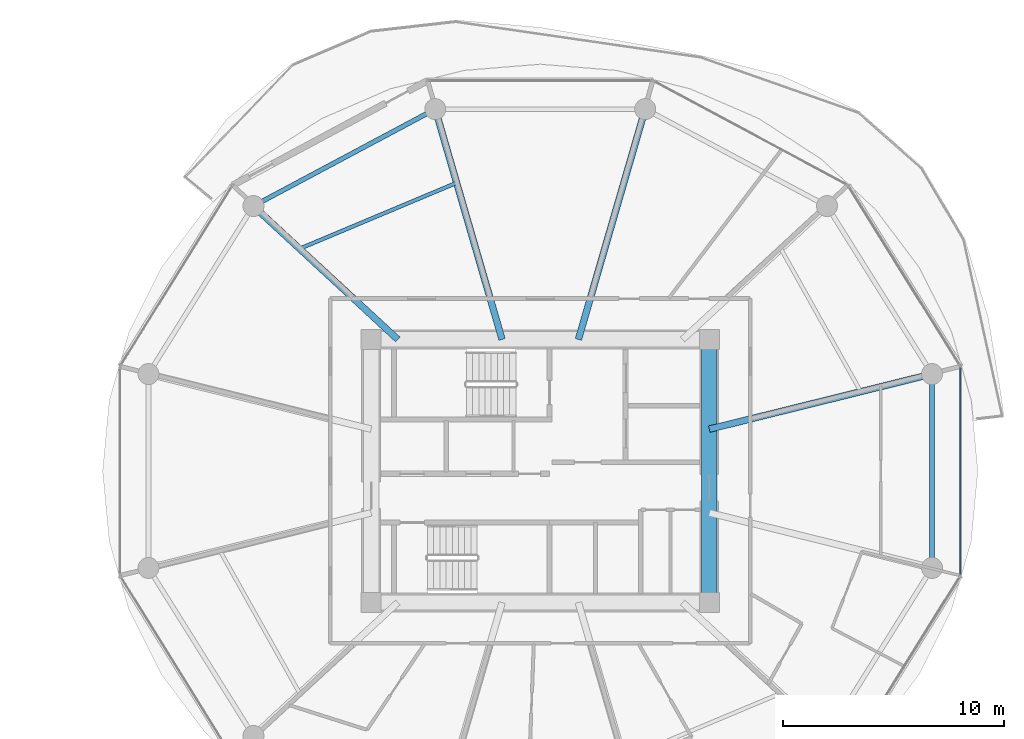
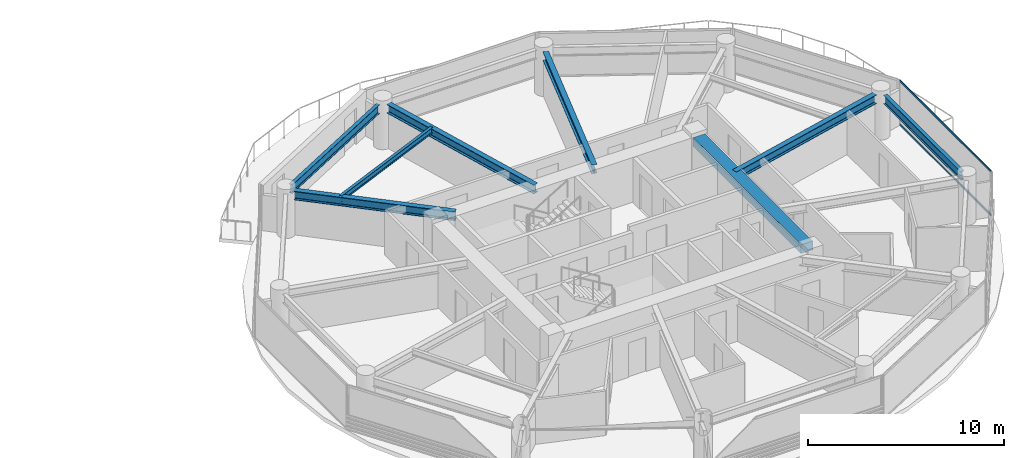
# One storey, part 12 of 26: 8 beams, 2 members, 1 element without a shape of its own.
"""IFC4 building model written with IfcOpenShell, lengths in metres."""

from ifc_helpers import new_model, si_unit, direction, frame, origin, origin_2d, place, context, subcontext, project, spatial, rectangle, i_section, extrude, source, transform, mapped, material, layer, layer_set, material_profile, profile_set, type_object, type_shapes, element, aggregate, save


model = new_model("IFC4")

# Units and contexts
model_context = context("Model", 3, precision=1e-05, world=origin(), true_north=direction((0.0, 1.0)))
body_context = subcontext(model_context, "Body", "Model", "MODEL_VIEW")
ifc_project = project(units=[si_unit("LENGTHUNIT", "METRE"), si_unit("AREAUNIT", "SQUARE_METRE"), si_unit("VOLUMEUNIT", "CUBIC_METRE"), si_unit("PLANEANGLEUNIT", "RADIAN"), si_unit("MASSUNIT", "GRAM", prefix="KILO")], contexts=[model_context])

# Site, building, storey
site_placement = place(None, origin())
site = spatial("IfcSite", under=ifc_project, at=site_placement, CompositionType="ELEMENT")
building_placement = place(site_placement, origin())
building = spatial("IfcBuilding", under=site, at=building_placement, Name="Norrkilde Senior Care Towers", CompositionType="ELEMENT")
storey_placement = place(building_placement, frame((0.0, 0.0, 49.050048828125)))
storey = spatial("IfcBuildingStorey", under=building, at=storey_placement, Name="L14", CompositionType="ELEMENT", Elevation=49.050048828125)

# Beams
ifc_material_1 = material(Name="Concrete C60/75", Category="concrete")
ifc_material_profile_1 = material_profile(ifc_material_1, rectangle(XDim=0.699951171875, YDim=0.550048828125, at=origin_2d()), Name="RC BM 700x550")
ifc_profile_set_1 = profile_set([ifc_material_profile_1], Name="Concrete C60/75")
beam_type_1 = type_object("IfcBeamType", Name="Core Portal Coupling Beam 700x550", PredefinedType="USERDEFINED", material=ifc_profile_set_1)
shared_shape_1 = source(origin(), body_context, "Body", "SweptSolid", [
    extrude(rectangle(XDim=0.699951171875, YDim=0.550048828125, at=origin_2d()), origin(), (0.0, 0.0, 1.0), 11.0400390625),
])
type_shapes(beam_type_1, [shared_shape_1])
beam_1_placement = place(storey_placement, frame((35.64990234375, -5.52001953125, 2.514892578125), z_axis=(0.0, 1.0, 0.0), x_axis=(-1.0, 0.0, 0.0)))
element("IfcBeam", 1, at=beam_1_placement, inside=storey, type_object=beam_type_1, Name="L14 Core E E Coupling Girder", ObjectType="GIRDER", PredefinedType="USERDEFINED", context=body_context, shape_type="MappedRepresentation", body=[
    mapped(shared_shape_1, transform((0.0, 0.0, 0.0), x_axis=(1.0, 0.0, 0.0), y_axis=(0.0, 1.0, 0.0), z_axis=(0.0, 0.0, 1.0), scale=1.0)),
])
ifc_material_2 = material(Name="Steel S355", Category="steel")
ifc_material_profile_2 = material_profile(ifc_material_2, i_section(OverallWidth=0.300048828125, OverallDepth=0.550048828125, WebThickness=0.014892578125, FlangeThickness=0.029052734375, FilletRadius=0.027099609375, at=origin_2d()), Name="HEB 550")
ifc_profile_set_2 = profile_set([ifc_material_profile_2], Name="Steel S355")
beam_type_2 = type_object("IfcBeamType", Name="Radial Floor Beam Z1 HEB550", PredefinedType="BEAM", material=ifc_profile_set_2)
shared_shape_2 = source(origin(), body_context, "Body", "SweptSolid", [
    extrude(i_section(OverallWidth=0.300048828125, OverallDepth=0.550048828125, WebThickness=0.014892578125, FlangeThickness=0.029052734375, FilletRadius=0.027099609375, at=origin_2d()), origin(), (0.0, 0.0, 1.0), 9.94384765625),
])
beam_2_placement = place(storey_placement, frame((35.64990234375, 1.893310546875, 2.514892578125), z_axis=(0.970707425182, 0.240264634718, 0.0), x_axis=(-0.240264634718, 0.970707425182, 0.0)))
element("IfcBeam", 2, at=beam_2_placement, inside=storey, type_object=beam_type_2, Name="L14 Drum E Radial Floor Beam 01", PredefinedType="BEAM", context=body_context, shape_type="MappedRepresentation", body=[
    mapped(shared_shape_2, transform((0.0, 0.0, 0.0), x_axis=(1.0, 0.0, 0.0), y_axis=(0.0, 1.0, 0.0), z_axis=(0.0, 0.0, 1.0), scale=1.0)),
])
ifc_material_profile_3 = material_profile(ifc_material_2, i_section(OverallWidth=0.2099609375, OverallDepth=0.550048828125, WebThickness=0.010986328125, FlangeThickness=0.01708984375, FilletRadius=0.02392578125, at=origin_2d()), Name="IPE 550")
ifc_profile_set_3 = profile_set([ifc_material_profile_3], Name="Steel S355")
beam_type_3 = type_object("IfcBeamType", Name="Perimeter Ring Spandrel Z1 IPE550", PredefinedType="SPANDREL", material=ifc_profile_set_3)
shared_shape_3 = source(origin(), body_context, "Body", "SweptSolid", [
    extrude(i_section(OverallWidth=0.2099609375, OverallDepth=0.550048828125, WebThickness=0.010986328125, FlangeThickness=0.01708984375, FilletRadius=0.02392578125, at=origin_2d()), origin(), (0.0, 0.0, 1.0), 8.452880859375),
])
beam_3_placement = place(storey_placement, frame((22.866943359375, 16.167724609375, 2.514892578125), z_axis=(-0.882368931134, -0.470558252898, 0.0), x_axis=(0.470558252898, -0.882368931134, 0.0)))
element("IfcBeam", 3, at=beam_3_placement, inside=storey, type_object=beam_type_3, Name="L14 Drum E Perimeter Spandrel 04", PredefinedType="SPANDREL", context=body_context, shape_type="MappedRepresentation", body=[
    mapped(shared_shape_3, transform((0.0, 0.0, 0.0), x_axis=(1.0, 0.0, 0.0), y_axis=(0.0, 1.0, 0.0), z_axis=(0.0, 0.0, 1.0), scale=1.0)),
])
shared_shape_4 = source(origin(), body_context, "Body", "SweptSolid", [
    extrude(i_section(OverallWidth=0.300048828125, OverallDepth=0.550048828125, WebThickness=0.014892578125, FlangeThickness=0.029052734375, FilletRadius=0.027099609375, at=origin_2d()), origin(), (0.0, 0.0, 1.0), 8.459716796875),
])
beam_4_placement = place(storey_placement, frame((21.55859375, 5.949951171875, 2.514892578125), z_axis=(-0.734573269108, 0.678529374686, 0.0), x_axis=(-0.678529374686, -0.734573269108, 0.0)))
element("IfcBeam", 4, at=beam_4_placement, inside=storey, type_object=beam_type_2, Name="L14 Drum E Radial Floor Beam 05", PredefinedType="BEAM", context=body_context, shape_type="MappedRepresentation", body=[
    mapped(shared_shape_4, transform((0.0, 0.0, 0.0), x_axis=(1.0, 0.0, 0.0), y_axis=(0.0, 1.0, 0.0), z_axis=(0.0, 0.0, 1.0), scale=1.0)),
])
shared_shape_5 = source(origin(), body_context, "Body", "SweptSolid", [
    extrude(i_section(OverallWidth=0.300048828125, OverallDepth=0.550048828125, WebThickness=0.014892578125, FlangeThickness=0.029052734375, FilletRadius=0.027099609375, at=origin_2d()), origin(), (0.0, 0.0, 1.0), 10.4169921875),
])
type_shapes(beam_type_2, [shared_shape_2, shared_shape_4, shared_shape_5])
for number, where, z_axis, x_axis, name in (
    (5, (29.72607421875, 5.949951171875, 2.514892578125), (0.278591250785, 0.960409764104, 0.0), (-0.960409764104, 0.278591250785, 0.0), "L14 Drum E Radial Floor Beam 03"),
    (6, (26.27392578125, 5.949951171875, 2.514892578125), (-0.278591250785, 0.960409764104, 0.0), (-0.960409764104, -0.278591250785, 0.0), "L14 Drum E Radial Floor Beam 04"),
):
    element("IfcBeam", number, at=place(storey_placement, frame(where, z_axis=z_axis, x_axis=x_axis)), inside=storey, type_object=beam_type_2, Name=name, PredefinedType="BEAM", context=body_context, shape_type="MappedRepresentation", body=[
        mapped(shared_shape_5, transform((0.0, 0.0, 0.0), x_axis=(1.0, 0.0, 0.0), y_axis=(0.0, 1.0, 0.0), z_axis=(0.0, 0.0, 1.0), scale=1.0)),
    ])
shared_shape_6 = source(origin(), body_context, "Body", "SweptSolid", [
    extrude(i_section(OverallWidth=0.2099609375, OverallDepth=0.550048828125, WebThickness=0.010986328125, FlangeThickness=0.01708984375, FilletRadius=0.02392578125, at=origin_2d()), origin(), (0.0, 0.0, 1.0), 7.90380859375),
])
type_shapes(beam_type_3, [shared_shape_3, shared_shape_6])
beam_5_placement = place(storey_placement, frame((45.724853515625, -3.951904296875, 2.514892578125), z_axis=(0.0, 1.0, 0.0), x_axis=(-1.0, 0.0, 0.0)))
element("IfcBeam", 7, at=beam_5_placement, inside=storey, type_object=beam_type_3, Name="L14 Drum E Perimeter Spandrel 12", PredefinedType="SPANDREL", context=body_context, shape_type="MappedRepresentation", body=[
    mapped(shared_shape_6, transform((0.0, 0.0, 0.0), x_axis=(1.0, 0.0, 0.0), y_axis=(0.0, 1.0, 0.0), z_axis=(0.0, 0.0, 1.0), scale=1.0)),
])
ifc_material_profile_4 = material_profile(ifc_material_2, i_section(OverallWidth=0.169921875, OverallDepth=0.360107421875, WebThickness=0.008056640625, FlangeThickness=0.0126953125, FilletRadius=0.01806640625, at=origin_2d()), Name="IPE 360")
ifc_profile_set_4 = profile_set([ifc_material_profile_4], Name="Steel S355")
beam_type_4 = type_object("IfcBeamType", Name="Secondary Floor Joist IPE360", PredefinedType="JOIST", material=ifc_profile_set_4)
shared_shape_7 = source(origin(), body_context, "Body", "SweptSolid", [
    extrude(i_section(OverallWidth=0.169921875, OverallDepth=0.360107421875, WebThickness=0.008056640625, FlangeThickness=0.0126953125, FilletRadius=0.01806640625, at=origin_2d()), origin(), (0.0, 0.0, 1.0), 7.703857421875),
])
type_shapes(beam_type_4, [shared_shape_7])
beam_6_placement = place(storey_placement, frame((24.21826171875, 13.037353515625, 2.60986328125), z_axis=(-0.921982784465, -0.387230868023, 0.0), x_axis=(0.387230868023, -0.921982784465, 0.0)))
element("IfcBeam", 8, at=beam_6_placement, inside=storey, type_object=beam_type_4, Name="L14 Drum E Secondary Floor Joist 2", PredefinedType="JOIST", context=body_context, shape_type="MappedRepresentation", body=[
    mapped(shared_shape_7, transform((0.0, 0.0, 0.0), x_axis=(1.0, 0.0, 0.0), y_axis=(0.0, 1.0, 0.0), z_axis=(0.0, 0.0, 1.0), scale=1.0)),
])

# Curtain wall, members
ifc_material_3 = material(Name="Triple Low-E Insulated Glazing", Category="glass")
ifc_layer = layer(ifc_material_3, 0.199951171875)
ifc_layer_set = layer_set([ifc_layer], Name="Triple Low-E Insulated Glazing")
curtain_wall_type = type_object("IfcCurtainWallType", Name="CW2 Zone 1 Memory Care Curtain Wall", PredefinedType="NOTDEFINED", material=ifc_layer_set)
curtain_wall_placement = place(storey_placement, origin())
curtain_wall = element("IfcCurtainWall", 9, at=curtain_wall_placement, inside=storey, type_object=curtain_wall_type, Name="L14 Drum E Curtain Wall 11", PredefinedType="NOTDEFINED")
ifc_material_4 = material(Name="Anodised Aluminium", Category="aluminium")
ifc_material_profile_5 = material_profile(ifc_material_4, rectangle(XDim=0.06005859375, YDim=0.1201171875, at=origin_2d()), Name="ALU TRAN 60x120")
ifc_profile_set_5 = profile_set([ifc_material_profile_5], Name="Anodised Aluminium")
member_type = type_object("IfcMemberType", Name="Curtain Wall Transom Typical 60x120", PredefinedType="USERDEFINED", material=ifc_profile_set_5)
shared_shape_8 = source(origin(), body_context, "Body", "SweptSolid", [
    extrude(rectangle(XDim=0.06005859375, YDim=0.1201171875, at=origin_2d()), origin(), (0.0, 0.0, 1.0), 9.33251953125),
])
type_shapes(member_type, [shared_shape_8])
member_1_placement = place(storey_placement, frame((47.009521484375, 4.666259765625, 0.030029296875), z_axis=(0.0, -1.0, 0.0), x_axis=(1.0, 0.0, 0.0)))
member_1 = element("IfcMember", 10, at=member_1_placement, type_object=member_type, Name="CW-2 transom 1.1", ObjectType="TRANSOM", PredefinedType="USERDEFINED", context=body_context, shape_type="MappedRepresentation", body=[
    mapped(shared_shape_8, transform((0.0, 0.0, 0.0), x_axis=(1.0, 0.0, 0.0), y_axis=(0.0, 1.0, 0.0), z_axis=(0.0, 0.0, 1.0), scale=1.0)),
])
member_2_placement = place(storey_placement, frame((47.009521484375, 4.666259765625, 2.760009765625), z_axis=(0.0, -1.0, 0.0), x_axis=(1.0, 0.0, 0.0)))
member_2 = element("IfcMember", 11, at=member_2_placement, type_object=member_type, Name="CW-2 transom 1.2", ObjectType="TRANSOM", PredefinedType="USERDEFINED", context=body_context, shape_type="MappedRepresentation", body=[
    mapped(shared_shape_8, transform((0.0, 0.0, 0.0), x_axis=(1.0, 0.0, 0.0), y_axis=(0.0, 1.0, 0.0), z_axis=(0.0, 0.0, 1.0), scale=1.0)),
])
aggregate(curtain_wall, [member_1, member_2])

save(model, "model.ifc")
